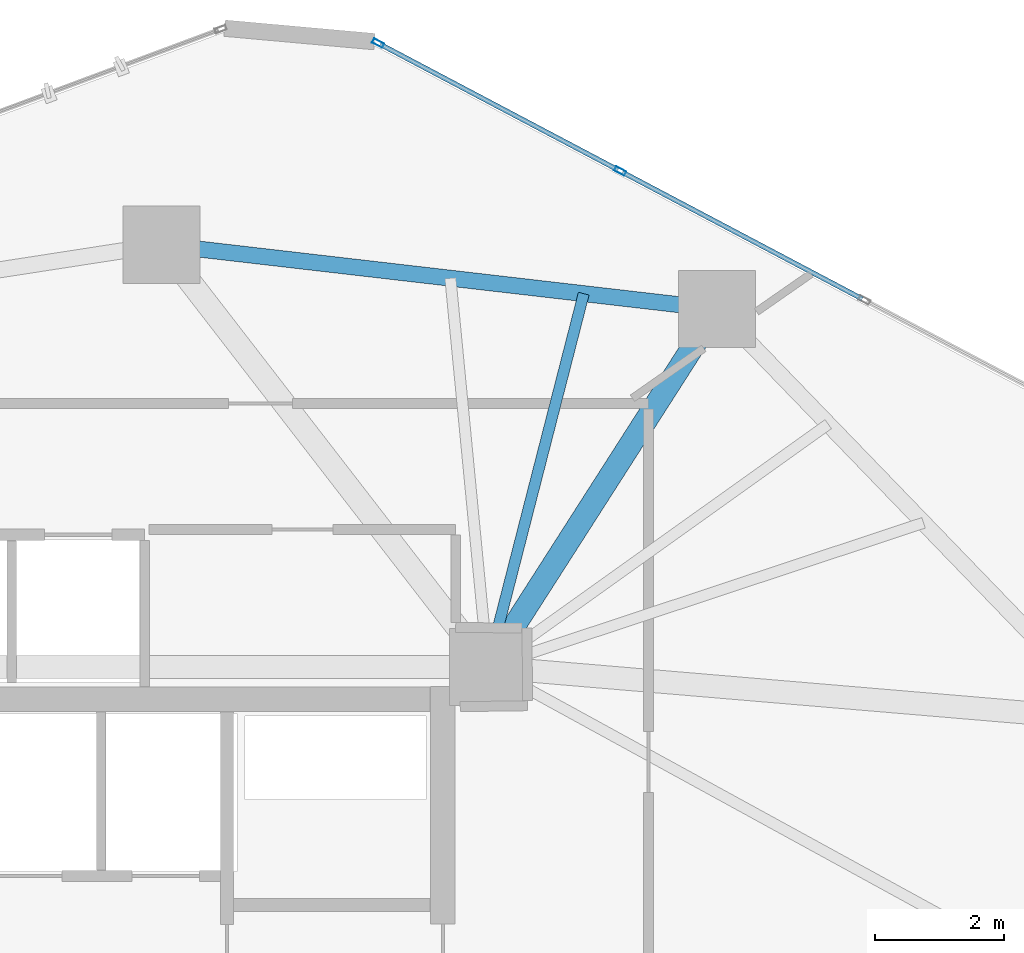
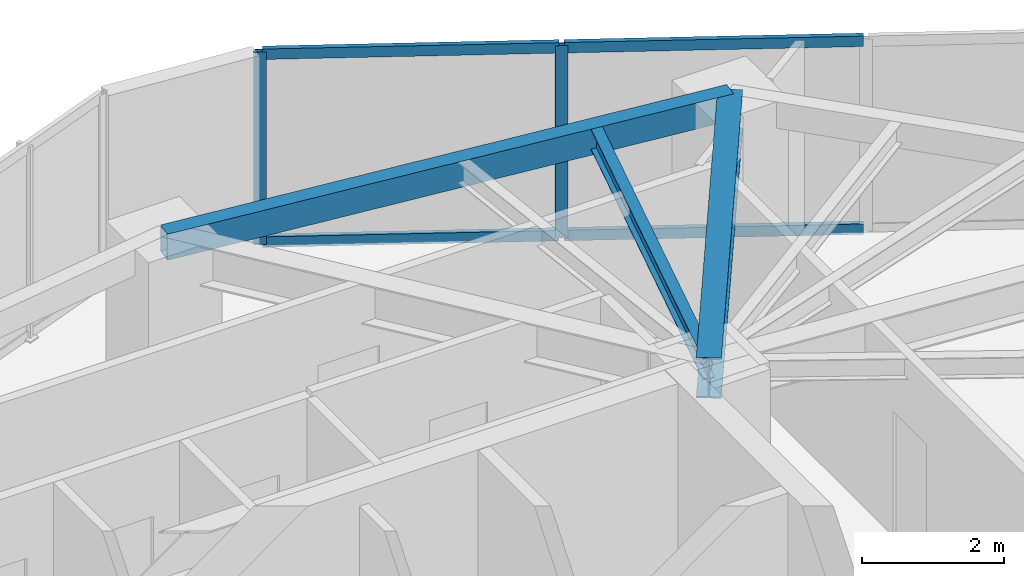
# One storey, part 14 of 22: 6 members, 3 beams, 1 element without a shape of its own.
"""IFC4 building model written with IfcOpenShell, lengths in metres."""

import ifcopenshell
import ifcopenshell.guid

model = None  # the IFC model being written
_history = None  # IfcOwnerHistory: only IFC2X3 demands one
_inside = {}  # id of a spatial element -> (the spatial element, [elements in it])
_under = {}  # id of a project, library or spatial element -> (it, [spatial elements below it])
_declared = {}  # id of a project -> (the project, [libraries it declares])
_typed = {}  # id of a type object -> (the type object, [elements of that type])
_made_of = {}  # id of a material, layer set ... -> (it, [elements and type objects made of it])


def new_model(schema):
    """Start an empty IFC model of exactly this schema.

    Asked for "IFC4X3", IfcOpenShell would pick the latest addendum, in which some entities
    have other attributes; the version numbers below select the first issue.
    IFC2X3 requires an IfcOwnerHistory on every rooted entity: one is made here for all.
    """
    global model, _history
    if schema == "IFC4X3":
        model = ifcopenshell.file(schema_version=(4, 3, 0, 0))
    else:
        model = ifcopenshell.file(schema=schema)
    _inside.clear()
    _under.clear()
    _declared.clear()
    _typed.clear()
    _made_of.clear()
    _history = None
    if model.schema == "IFC2X3":
        org = make("IfcOrganization", Name="unknown")
        user = make(
            "IfcPersonAndOrganization",
            ThePerson=make("IfcPerson", FamilyName="unknown"),
            TheOrganization=org,
        )
        app = make(
            "IfcApplication",
            ApplicationDeveloper=org,
            Version="unknown",
            ApplicationFullName="unknown",
            ApplicationIdentifier="unknown",
        )
        _history = make(
            "IfcOwnerHistory",
            OwningUser=user,
            OwningApplication=app,
            ChangeAction="ADDED",
            CreationDate=0,
        )
    return model


def make(cls, **values):
    """One entity of the class cls with the attributes given. An attribute that is None is left unset."""
    return model.create_entity(
        cls, **{name: value for name, value in values.items() if value is not None}
    )


def rooted(cls, **values):
    """An entity with a GlobalId (a new one), such as an element, a storey or a relation."""
    return make(cls, GlobalId=ifcopenshell.guid.new(), OwnerHistory=_history, **values)


def si_unit(unit_type, name, prefix=None):
    """IfcSIUnit, for example si_unit("LENGTHUNIT", "METRE", prefix="MILLI")."""
    return make("IfcSIUnit", UnitType=unit_type, Prefix=prefix, Name=name)


def assignment(units):
    """IfcUnitAssignment: the units of a project."""
    return None if units is None else make("IfcUnitAssignment", Units=units)


def point(xyz):
    """IfcCartesianPoint."""
    return None if xyz is None else make("IfcCartesianPoint", Coordinates=xyz)


def direction(xyz):
    """IfcDirection."""
    return None if xyz is None else make("IfcDirection", DirectionRatios=xyz)


def frame(location, z_axis=None, x_axis=None):
    """IfcAxis2Placement3D, a coordinate frame: its origin and axes. An axis left out is left unset."""
    return make(
        "IfcAxis2Placement3D",
        Location=point(location),
        Axis=direction(z_axis),
        RefDirection=direction(x_axis),
    )


def frame_2d(location, x_axis=None):
    """IfcAxis2Placement2D, a coordinate frame in the plane: its origin and x axis."""
    return make(
        "IfcAxis2Placement2D", Location=point(location), RefDirection=direction(x_axis)
    )


def origin():
    """The frame at (0, 0, 0) with its axes left unset."""
    return frame((0.0, 0.0, 0.0))


def origin_2d():
    """The frame at (0, 0) in the plane with its x axis left unset."""
    return frame_2d((0.0, 0.0))


def place(relative_to, where):
    """IfcLocalPlacement: puts the frame where relative to a parent placement (None: the world)."""
    return make(
        "IfcLocalPlacement", PlacementRelTo=relative_to, RelativePlacement=where
    )


def context(
    kind, dimensions, precision=None, world=None, true_north=None, identifier=None
):
    """IfcGeometricRepresentationContext, for example the 3D "Model" context."""
    return make(
        "IfcGeometricRepresentationContext",
        ContextIdentifier=identifier,
        ContextType=kind,
        CoordinateSpaceDimension=dimensions,
        Precision=precision,
        WorldCoordinateSystem=world,
        TrueNorth=true_north,
    )


def subcontext(parent, identifier, kind, view, scale=None):
    """IfcGeometricRepresentationSubContext, for example "Body" below "Model"."""
    return make(
        "IfcGeometricRepresentationSubContext",
        ContextIdentifier=identifier,
        ContextType=kind,
        ParentContext=parent,
        TargetScale=scale,
        TargetView=view,
    )


def project(units=None, contexts=None):
    """IfcProject with its units and contexts."""
    return rooted(
        "IfcProject",
        Name="project",
        RepresentationContexts=contexts,
        UnitsInContext=assignment(units),
    )


def spatial(cls, under=None, at=None, **own):
    """A site, building, storey or space (cls), placed at a placement, below another one or the project."""
    s = rooted(cls, ObjectPlacement=at, **own)
    if under is not None:
        _under.setdefault(under.id(), (under, []))[1].append(s)
    return s


def profile(cls, at=None, kind="AREA", **sizes):
    """A parametric profile (cls). Its sizes go by their IFC names, for example OverallWidth=200.0."""
    return make(cls, ProfileType=kind, Position=at, **sizes)


def hollow_rectangle(**sizes):
    """IfcRectangleHollowProfileDef."""
    return profile("IfcRectangleHollowProfileDef", **sizes)


def i_section(**sizes):
    """IfcIShapeProfileDef."""
    return profile("IfcIShapeProfileDef", **sizes)


def extrude(swept, where, along, depth):
    """IfcExtrudedAreaSolid: the profile swept, set in the frame where, extruded along a direction by depth."""
    return make(
        "IfcExtrudedAreaSolid",
        SweptArea=swept,
        Position=where,
        ExtrudedDirection=direction(along),
        Depth=depth,
    )


def shape(context_of_items, identifier, shape_type, items):
    """IfcShapeRepresentation: the items that make up one representation, for example the "Body"."""
    return make(
        "IfcShapeRepresentation",
        ContextOfItems=context_of_items,
        RepresentationIdentifier=identifier,
        RepresentationType=shape_type,
        Items=items,
    )


def source(mapping_origin, context_of_items, identifier, shape_type, items):
    """IfcRepresentationMap: a shape defined once, which mapped items show again and again."""
    return make(
        "IfcRepresentationMap",
        MappingOrigin=mapping_origin,
        MappedRepresentation=shape(context_of_items, identifier, shape_type, items),
    )


def transform(
    local_origin,
    x_axis=None,
    y_axis=None,
    z_axis=None,
    scale=None,
    scale2=None,
    scale3=None,
    uniform=True,
):
    """IfcCartesianTransformationOperator3D, or its non-uniform kind. x_axis, y_axis, z_axis: its Axis1, 2, 3."""
    if uniform:
        return make(
            "IfcCartesianTransformationOperator3D",
            Axis1=direction(x_axis),
            Axis2=direction(y_axis),
            LocalOrigin=point(local_origin),
            Scale=scale,
            Axis3=direction(z_axis),
        )
    return make(
        "IfcCartesianTransformationOperator3DnonUniform",
        Axis1=direction(x_axis),
        Axis2=direction(y_axis),
        LocalOrigin=point(local_origin),
        Scale=scale,
        Axis3=direction(z_axis),
        Scale2=scale2,
        Scale3=scale3,
    )


def mapped(mapping_source, mapping_target):
    """IfcMappedItem: shows the shape of a source again, moved by a transform."""
    return make(
        "IfcMappedItem", MappingSource=mapping_source, MappingTarget=mapping_target
    )


def material(Name=None, Category=None):
    """IfcMaterial."""
    return make("IfcMaterial", Name=Name, Category=Category)


def layer(
    of_material, thickness, ventilated=None, Name=None, Category=None, Priority=None
):
    """IfcMaterialLayer: one layer of a wall or slab, of a material (None: an air gap)."""
    return make(
        "IfcMaterialLayer",
        Material=of_material,
        LayerThickness=thickness,
        IsVentilated=ventilated,
        Name=Name,
        Category=Category,
        Priority=Priority,
    )


def layer_set(layers, Name=None):
    """IfcMaterialLayerSet."""
    return make("IfcMaterialLayerSet", MaterialLayers=layers, LayerSetName=Name)


def material_profile(
    of_material, cross_section, Name=None, Category=None, Priority=None
):
    """IfcMaterialProfile: a cross section and its material."""
    return make(
        "IfcMaterialProfile",
        Name=Name,
        Material=of_material,
        Profile=cross_section,
        Priority=Priority,
        Category=Category,
    )


def profile_set(profiles, Name=None, composite=None):
    """IfcMaterialProfileSet."""
    return make(
        "IfcMaterialProfileSet",
        Name=Name,
        MaterialProfiles=profiles,
        CompositeProfile=composite,
    )


def made_of(thing, what):
    """Note that an element or type object is made of a material, layer set ...; save() writes the relation."""
    if what is not None:
        _made_of.setdefault(what.id(), (what, []))[1].append(thing)
    return thing


def type_object(cls, material=None, **own):
    """A type object (cls), such as IfcWallType, which elements share."""
    return made_of(rooted(cls, **own), material)


def type_shapes(of_type, sources):
    """Give a type object the sources (RepresentationMaps) that its elements show as mapped items."""
    of_type.RepresentationMaps = sources


def element(
    cls,
    number,
    at=None,
    inside=None,
    cuts=None,
    type_object=None,
    material=None,
    context=None,
    identifier="Body",
    shape_type=None,
    held_by="IfcProductDefinitionShape",
    body=None,
    shapes=None,
    **own,
):
    """One element of the class cls, such as IfcWall. Its Tag is "e" and its number.

    at: its placement. inside: the storey or other place that contains it. cuts: it is an
    opening in that element (IfcRelVoidsElement). A single representation is given by context,
    identifier, shape_type and body (its items); several are given by shapes. held_by: the class
    of the entity that holds the representations. save() writes the other relations.
    """
    e = rooted(cls, Tag="e%d" % number, ObjectPlacement=at, **own)
    if body is not None:
        shapes = [shape(context, identifier, shape_type, body)]
    if shapes is not None:
        e.Representation = make(held_by, Representations=shapes)
    if inside is not None:
        _inside.setdefault(inside.id(), (inside, []))[1].append(e)
    if cuts is not None:
        rooted(
            "IfcRelVoidsElement", RelatingBuildingElement=cuts, RelatedOpeningElement=e
        )
    if type_object is not None:
        _typed.setdefault(type_object.id(), (type_object, []))[1].append(e)
    return made_of(e, material)


def aggregate(whole, parts):
    """IfcRelAggregates: a whole, such as a stair, and the parts it consists of."""
    return rooted("IfcRelAggregates", RelatingObject=whole, RelatedObjects=parts)


def save(model, path):
    """Write the relations noted so far, then the file.

    IfcRelAggregates (storeys below a building ...), IfcRelContainedInSpatialStructure (elements
    in a storey), IfcRelDefinesByType, IfcRelAssociatesMaterial and IfcRelDeclares: one each for
    every whole, place, type object, material and project.
    """
    for whole, parts in _under.values():
        aggregate(whole, parts)
    for where, things in _inside.values():
        rooted(
            "IfcRelContainedInSpatialStructure",
            RelatedElements=things,
            RelatingStructure=where,
        )
    for kind, things in _typed.values():
        rooted("IfcRelDefinesByType", RelatedObjects=things, RelatingType=kind)
    for what, things in _made_of.values():
        rooted("IfcRelAssociatesMaterial", RelatedObjects=things, RelatingMaterial=what)
    for by, libraries in _declared.values():
        rooted("IfcRelDeclares", RelatingContext=by, RelatedDefinitions=libraries)
    model.write(path)


model = new_model("IFC4")

# Units and contexts
model_context = context("Model", 3, precision=1e-05, world=origin(), true_north=direction((0.0, 1.0)))
body_context = subcontext(model_context, "Body", "Model", "MODEL_VIEW")
ifc_project = project(units=[si_unit("LENGTHUNIT", "METRE"), si_unit("AREAUNIT", "SQUARE_METRE"), si_unit("VOLUMEUNIT", "CUBIC_METRE"), si_unit("PLANEANGLEUNIT", "RADIAN"), si_unit("MASSUNIT", "GRAM", prefix="KILO")], contexts=[model_context])

# Site, building, storey
site_placement = place(None, origin())
site = spatial("IfcSite", under=ifc_project, at=site_placement, CompositionType="ELEMENT")
building_placement = place(site_placement, origin())
building = spatial("IfcBuilding", under=site, at=building_placement, Name="Talar Marvaseh", CompositionType="ELEMENT")
storey_placement = place(building_placement, frame((0.0, 0.0, 150.60009765625)))
storey = spatial("IfcBuildingStorey", under=building, at=storey_placement, Name="L39", CompositionType="ELEMENT", Elevation=150.60009765625)

# Beams
ifc_material_1 = material(Name="Steel S355", Category="steel")
ifc_material_profile_1 = material_profile(ifc_material_1, hollow_rectangle(XDim=0.25, YDim=0.449951171875, WallThickness=0.01611328125, at=origin_2d()), Name="RHS450x250x16")
ifc_profile_set_1 = profile_set([ifc_material_profile_1], Name="Steel S355")
beam_type_1 = type_object("IfcBeamType", Name="Zone 2 Perimeter Spandrel Beam RHS450x250x16", PredefinedType="SPANDREL", material=ifc_profile_set_1)
beam_1_placement = place(storey_placement, frame((28.221923828125, 43.471923828125, 3.0849609375), z_axis=(0.993361914569, -0.115030894474, 0.0), x_axis=(0.115030894474, 0.993361914569, 0.0)))
element("IfcBeam", 1, at=beam_1_placement, inside=storey, type_object=beam_type_1, Name="L39 Zone 2 Perimeter Spandrel Beam RHS450x250x16", PredefinedType="SPANDREL", context=body_context, shape_type="SweptSolid", body=[
    extrude(hollow_rectangle(XDim=0.25, YDim=0.449951171875, WallThickness=0.01611328125, at=origin_2d()), origin(), (0.0, 0.0, 1.0), 8.701904296875),
])
ifc_material_profile_2 = material_profile(ifc_material_1, i_section(OverallWidth=0.35498046875, OverallDepth=0.695068359375, WebThickness=0.015380859375, FlangeThickness=0.02490234375, at=origin_2d()), Name="W690x217")
ifc_profile_set_2 = profile_set([ifc_material_profile_2], Name="Steel S355")
beam_type_2 = type_object("IfcBeamType", Name="Zone 2 Radial Floor Girder W690x217", PredefinedType="BEAM", material=ifc_profile_set_2)
beam_2_placement = place(storey_placement, frame((36.865966796875, 42.470947265625, 2.96240234375), z_axis=(-0.539101874952, -0.842240564461, 0.0), x_axis=(0.842240564461, -0.539101874952, 0.0)))
element("IfcBeam", 2, at=beam_2_placement, inside=storey, type_object=beam_type_2, Name="L39 Zone 2 Radial Floor Girder W690x217", PredefinedType="BEAM", context=body_context, shape_type="SweptSolid", body=[
    extrude(i_section(OverallWidth=0.35498046875, OverallDepth=0.695068359375, WebThickness=0.015380859375, FlangeThickness=0.02490234375, at=origin_2d()), origin(), (0.0, 0.0, 1.0), 6.614501953125),
])
ifc_material_profile_3 = material_profile(ifc_material_1, i_section(OverallWidth=0.172119140625, OverallDepth=0.35791015625, WebThickness=0.0078125, FlangeThickness=0.01318359375, at=origin_2d()), Name="W360x57")
ifc_profile_set_3 = profile_set([ifc_material_profile_3], Name="Steel S355")
beam_type_3 = type_object("IfcBeamType", Name="Zone 2 Secondary Floor Joist W360x57", PredefinedType="JOIST", material=ifc_profile_set_3)
beam_3_placement = place(storey_placement, frame((34.79150390625, 42.711181640625, 3.130859375), z_axis=(-0.248591710753, -0.968608363243, 0.0), x_axis=(0.968608363243, -0.248591710753, 0.0)))
element("IfcBeam", 3, at=beam_3_placement, inside=storey, type_object=beam_type_3, Name="L39 Zone 2 Secondary Floor Joist W360x57", PredefinedType="JOIST", context=body_context, shape_type="SweptSolid", body=[
    extrude(i_section(OverallWidth=0.172119140625, OverallDepth=0.35791015625, WebThickness=0.0078125, FlangeThickness=0.01318359375, at=origin_2d()), origin(), (0.0, 0.0, 1.0), 5.99951171875),
])

# Curtain wall, members
ifc_material_2 = material(Name="Architectural Aluminium", Category="aluminium")
ifc_layer = layer(ifc_material_2, 0.199951171875)
ifc_layer_set = layer_set([ifc_layer], Name="Architectural Aluminium")
curtain_wall_type = type_object("IfcCurtainWallType", Name="Unitised Acoustic Library Curtain Wall Z2", PredefinedType="NOTDEFINED", material=ifc_layer_set)
curtain_wall_placement = place(storey_placement, origin())
curtain_wall = element("IfcCurtainWall", 4, at=curtain_wall_placement, inside=storey, type_object=curtain_wall_type, Name="L39 Unitised Acoustic Library Curtain Wall Z2", PredefinedType="NOTDEFINED")
ifc_material_profile_4 = material_profile(ifc_material_2, hollow_rectangle(XDim=0.074951171875, YDim=0.179931640625, WallThickness=0.0048828125, at=origin_2d()), Name="RHS180x75x5")
ifc_profile_set_4 = profile_set([ifc_material_profile_4], Name="Architectural Aluminium")
member_type_1 = type_object("IfcMemberType", Name="Unitised Curtain Wall Transom RHS180x75x5", PredefinedType="USERDEFINED", material=ifc_profile_set_4)
shared_shape_1 = source(origin(), body_context, "Body", "SweptSolid", [
    extrude(hollow_rectangle(XDim=0.074951171875, YDim=0.179931640625, WallThickness=0.0048828125, at=origin_2d()), origin(), (0.0, 0.0, 1.0), 4.222900390625),
])
member_1_placement = place(storey_placement, frame((35.3916015625, 44.600830078125, 0.037353515625), z_axis=(0.884213657709, -0.467082655985, 0.0), x_axis=(0.467082655985, 0.884213657709, 0.0)))
member_1 = element("IfcMember", 5, at=member_1_placement, type_object=member_type_1, Name="CW-Z2 transom 2.1", ObjectType="TRANSOM", PredefinedType="USERDEFINED", context=body_context, shape_type="MappedRepresentation", body=[
    mapped(shared_shape_1, transform((0.0, 0.0, 0.0), x_axis=(1.0, 0.0, 0.0), y_axis=(0.0, 1.0, 0.0), z_axis=(0.0, 0.0, 1.0), scale=1.0)),
])
member_2_placement = place(storey_placement, frame((35.3916015625, 44.600830078125, 3.2724609375), z_axis=(0.884213657709, -0.467082655985, 0.0), x_axis=(0.467082655985, 0.884213657709, 0.0)))
member_2 = element("IfcMember", 6, at=member_2_placement, type_object=member_type_1, Name="CW-Z2 transom 2.2", ObjectType="TRANSOM", PredefinedType="USERDEFINED", context=body_context, shape_type="MappedRepresentation", body=[
    mapped(shared_shape_1, transform((0.0, 0.0, 0.0), x_axis=(1.0, 0.0, 0.0), y_axis=(0.0, 1.0, 0.0), z_axis=(0.0, 0.0, 1.0), scale=1.0)),
])
shared_shape_2 = source(origin(), body_context, "Body", "SweptSolid", [
    extrude(hollow_rectangle(XDim=0.074951171875, YDim=0.179931640625, WallThickness=0.0048828125, at=origin_2d()), origin(), (0.0, 0.0, 1.0), 4.185546875),
])
type_shapes(member_type_1, [shared_shape_1, shared_shape_2])
member_3_placement = place(storey_placement, frame((31.62451171875, 46.5908203125, 0.037353515625), z_axis=(0.884230201059, -0.467051337152, 0.0), x_axis=(0.467051337152, 0.884230201059, 0.0)))
member_3 = element("IfcMember", 7, at=member_3_placement, type_object=member_type_1, Name="CW-Z2 transom 1.1", ObjectType="TRANSOM", PredefinedType="USERDEFINED", context=body_context, shape_type="MappedRepresentation", body=[
    mapped(shared_shape_2, transform((0.0, 0.0, 0.0), x_axis=(1.0, 0.0, 0.0), y_axis=(0.0, 1.0, 0.0), z_axis=(0.0, 0.0, 1.0), scale=1.0)),
])
member_4_placement = place(storey_placement, frame((31.62451171875, 46.5908203125, 3.2724609375), z_axis=(0.884230201059, -0.467051337152, 0.0), x_axis=(0.467051337152, 0.884230201059, 0.0)))
member_4 = element("IfcMember", 8, at=member_4_placement, type_object=member_type_1, Name="CW-Z2 transom 1.2", ObjectType="TRANSOM", PredefinedType="USERDEFINED", context=body_context, shape_type="MappedRepresentation", body=[
    mapped(shared_shape_2, transform((0.0, 0.0, 0.0), x_axis=(1.0, 0.0, 0.0), y_axis=(0.0, 1.0, 0.0), z_axis=(0.0, 0.0, 1.0), scale=1.0)),
])
ifc_material_profile_5 = material_profile(ifc_material_2, hollow_rectangle(XDim=0.074951171875, YDim=0.179931640625, WallThickness=0.0048828125, at=origin_2d()), Name="RHS180x75x5")
ifc_profile_set_5 = profile_set([ifc_material_profile_5], Name="Architectural Aluminium")
member_type_2 = type_object("IfcMemberType", Name="Unitised Curtain Wall Standard Mullion RHS180x75x5", PredefinedType="MULLION", material=ifc_profile_set_5)
shared_shape_3 = source(origin(), body_context, "Body", "SweptSolid", [
    extrude(hollow_rectangle(XDim=0.074951171875, YDim=0.179931640625, WallThickness=0.0048828125, at=origin_2d()), origin(), (0.0, 0.0, 1.0), 3.309814453125),
])
type_shapes(member_type_2, [shared_shape_3])
member_5_placement = place(storey_placement, frame((31.591552734375, 46.6083984375, 0.0), z_axis=(0.0, 0.0, 1.0), x_axis=(0.467097780164, 0.88420566825, 0.0)))
member_5 = element("IfcMember", 9, at=member_5_placement, type_object=member_type_2, Name="CW-Z2 mullion 1", PredefinedType="MULLION", context=body_context, shape_type="MappedRepresentation", body=[
    mapped(shared_shape_3, transform((0.0, 0.0, 0.0), x_axis=(1.0, 0.0, 0.0), y_axis=(0.0, 1.0, 0.0), z_axis=(0.0, 0.0, 1.0), scale=1.0)),
])
member_6_placement = place(storey_placement, frame((35.3583984375, 44.618408203125, 0.0), z_axis=(0.0, 0.0, 1.0), x_axis=(0.467097780164, 0.88420566825, 0.0)))
member_6 = element("IfcMember", 10, at=member_6_placement, type_object=member_type_2, Name="CW-Z2 mullion 2", PredefinedType="MULLION", context=body_context, shape_type="MappedRepresentation", body=[
    mapped(shared_shape_3, transform((0.0, 0.0, 0.0), x_axis=(1.0, 0.0, 0.0), y_axis=(0.0, 1.0, 0.0), z_axis=(0.0, 0.0, 1.0), scale=1.0)),
])
aggregate(curtain_wall, [member_5, member_6, member_3, member_4, member_1, member_2])

save(model, "model.ifc")
